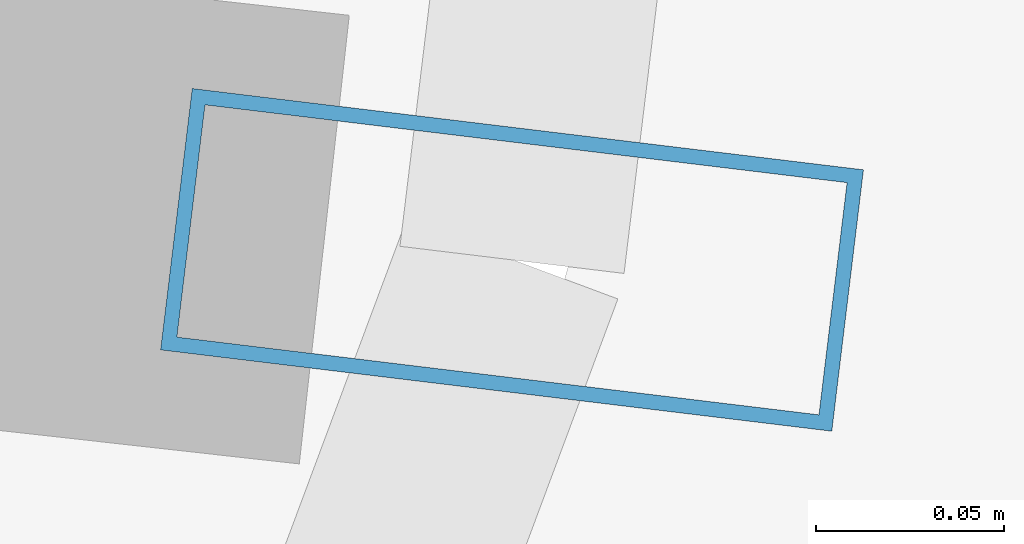
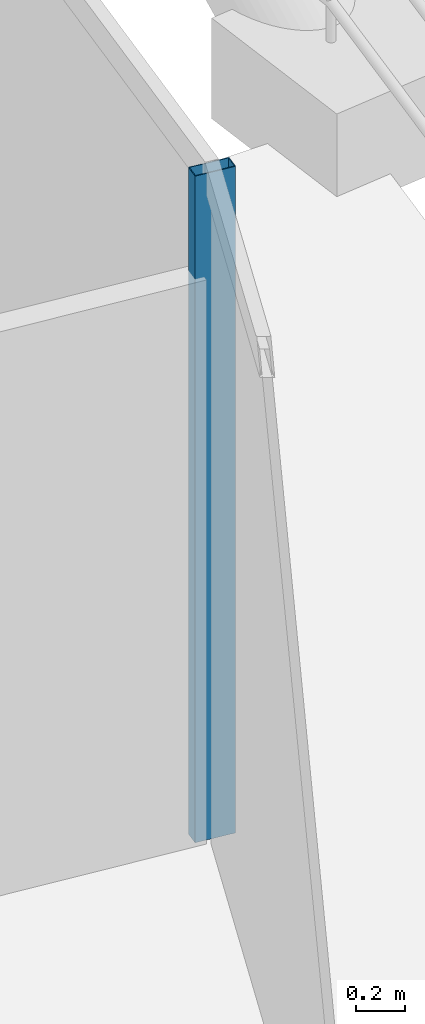
# One storey, part 9 of 21: 1 member, 1 element without a shape of its own.
"""IFC4 building model written with IfcOpenShell, lengths in metres."""

from ifc_helpers import new_model, si_unit, direction, frame, origin, origin_2d, place, context, subcontext, project, spatial, hollow_rectangle, extrude, material, layer, layer_set, material_profile, profile_set, type_object, element, aggregate, save


model = new_model("IFC4")

# Units and contexts
model_context = context("Model", 3, precision=1e-05, world=origin(), true_north=direction((0.0, 1.0)))
body_context = subcontext(model_context, "Body", "Model", "MODEL_VIEW")
ifc_project = project(units=[si_unit("LENGTHUNIT", "METRE"), si_unit("AREAUNIT", "SQUARE_METRE"), si_unit("VOLUMEUNIT", "CUBIC_METRE"), si_unit("PLANEANGLEUNIT", "RADIAN"), si_unit("MASSUNIT", "GRAM", prefix="KILO")], contexts=[model_context])

# Site, building, storey
site_placement = place(None, origin())
site = spatial("IfcSite", under=ifc_project, at=site_placement, CompositionType="ELEMENT")
building_placement = place(site_placement, origin())
building = spatial("IfcBuilding", under=site, at=building_placement, Name="Veldorina Hangang Commons", CompositionType="ELEMENT")
storey_placement = place(building_placement, frame((0.0, 0.0, 135.199951171875)))
storey = spatial("IfcBuildingStorey", under=building, at=storey_placement, Name="L34", CompositionType="ELEMENT", Elevation=135.199951171875)

# Curtain wall, member
ifc_material_1 = material(Name="Glass Low-E Triple IGU", Category="glass")
ifc_layer = layer(ifc_material_1, 0.179931640625)
ifc_layer_set = layer_set([ifc_layer], Name="Glass Low-E Triple IGU")
curtain_wall_type = type_object("IfcCurtainWallType", Name="CW-SYS-Z2", PredefinedType="NOTDEFINED", material=ifc_layer_set)
curtain_wall_placement = place(storey_placement, origin())
curtain_wall = element("IfcCurtainWall", 1, at=curtain_wall_placement, inside=storey, type_object=curtain_wall_type, Name="L34 unitised curtain wall CW-L34-R2", PredefinedType="NOTDEFINED")
ifc_material_2 = material(Name="Aluminium Anodized AA6063-T6", Category="aluminium")
ifc_material_profile = material_profile(ifc_material_2, hollow_rectangle(XDim=0.070068359375, YDim=0.179931640625, WallThickness=0.00390625, at=origin_2d()), Name="ALU-RHS-180x70x4")
ifc_profile_set = profile_set([ifc_material_profile], Name="Aluminium Anodized AA6063-T6")
member_type = type_object("IfcMemberType", Name="CW-MUL-180", PredefinedType="MULLION", material=ifc_profile_set)
member_placement = place(storey_placement, frame((57.482177734375, 19.877685546875, 0.0), z_axis=(0.0, 0.0, 1.0), x_axis=(0.120223472799, 0.992746854232, 0.0)))
member = element("IfcMember", 2, at=member_placement, type_object=member_type, Name="CW-L34-R2 vertical mullion 3", PredefinedType="MULLION", context=body_context, shape_type="SweptSolid", body=[
    extrude(hollow_rectangle(XDim=0.070068359375, YDim=0.179931640625, WallThickness=0.00390625, at=origin_2d()), origin(), (0.0, 0.0, 1.0), 3.31005859375),
])
aggregate(curtain_wall, [member])

save(model, "model.ifc")
